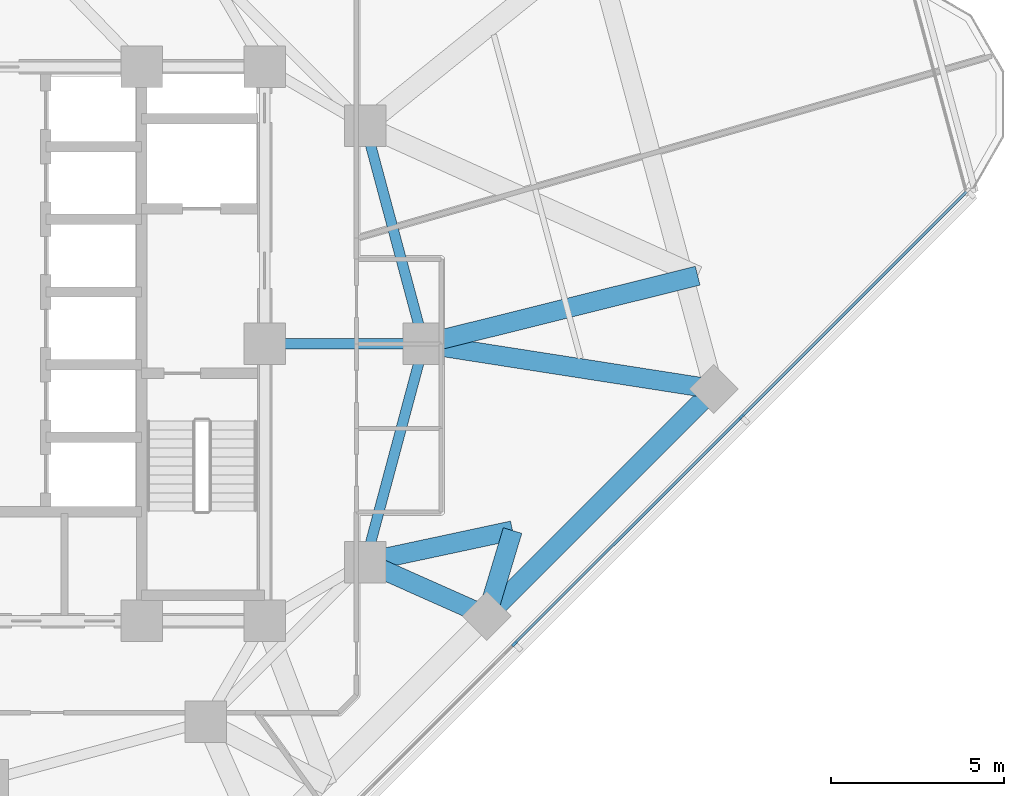
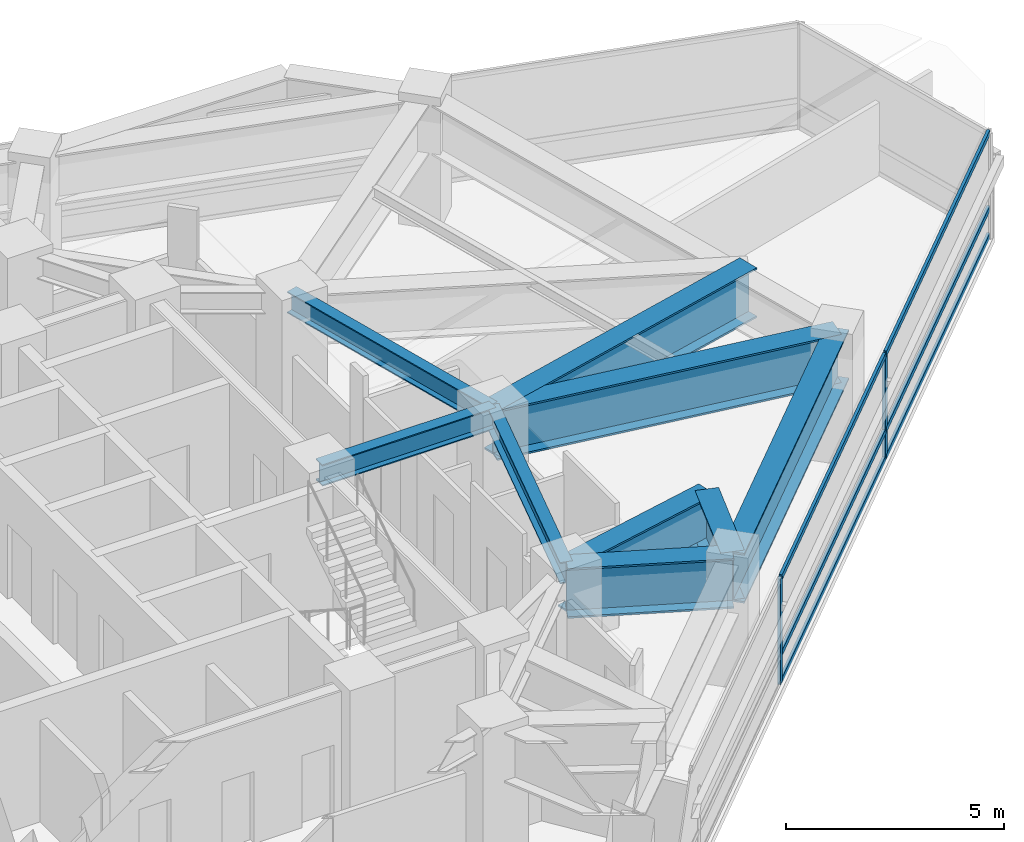
# One storey, part 4 of 15: 9 beams, 8 members, 1 element without a shape of its own.
"""IFC4 building model written with IfcOpenShell, lengths in metres."""

import ifcopenshell
import ifcopenshell.guid

model = None  # the IFC model being written
_history = None  # IfcOwnerHistory: only IFC2X3 demands one
_inside = {}  # id of a spatial element -> (the spatial element, [elements in it])
_under = {}  # id of a project, library or spatial element -> (it, [spatial elements below it])
_declared = {}  # id of a project -> (the project, [libraries it declares])
_typed = {}  # id of a type object -> (the type object, [elements of that type])
_made_of = {}  # id of a material, layer set ... -> (it, [elements and type objects made of it])


def new_model(schema):
    """Start an empty IFC model of exactly this schema.

    Asked for "IFC4X3", IfcOpenShell would pick the latest addendum, in which some entities
    have other attributes; the version numbers below select the first issue.
    IFC2X3 requires an IfcOwnerHistory on every rooted entity: one is made here for all.
    """
    global model, _history
    if schema == "IFC4X3":
        model = ifcopenshell.file(schema_version=(4, 3, 0, 0))
    else:
        model = ifcopenshell.file(schema=schema)
    _inside.clear()
    _under.clear()
    _declared.clear()
    _typed.clear()
    _made_of.clear()
    _history = None
    if model.schema == "IFC2X3":
        org = make("IfcOrganization", Name="unknown")
        user = make(
            "IfcPersonAndOrganization",
            ThePerson=make("IfcPerson", FamilyName="unknown"),
            TheOrganization=org,
        )
        app = make(
            "IfcApplication",
            ApplicationDeveloper=org,
            Version="unknown",
            ApplicationFullName="unknown",
            ApplicationIdentifier="unknown",
        )
        _history = make(
            "IfcOwnerHistory",
            OwningUser=user,
            OwningApplication=app,
            ChangeAction="ADDED",
            CreationDate=0,
        )
    return model


def make(cls, **values):
    """One entity of the class cls with the attributes given. An attribute that is None is left unset."""
    return model.create_entity(
        cls, **{name: value for name, value in values.items() if value is not None}
    )


def rooted(cls, **values):
    """An entity with a GlobalId (a new one), such as an element, a storey or a relation."""
    return make(cls, GlobalId=ifcopenshell.guid.new(), OwnerHistory=_history, **values)


def si_unit(unit_type, name, prefix=None):
    """IfcSIUnit, for example si_unit("LENGTHUNIT", "METRE", prefix="MILLI")."""
    return make("IfcSIUnit", UnitType=unit_type, Prefix=prefix, Name=name)


def assignment(units):
    """IfcUnitAssignment: the units of a project."""
    return None if units is None else make("IfcUnitAssignment", Units=units)


def point(xyz):
    """IfcCartesianPoint."""
    return None if xyz is None else make("IfcCartesianPoint", Coordinates=xyz)


def direction(xyz):
    """IfcDirection."""
    return None if xyz is None else make("IfcDirection", DirectionRatios=xyz)


def frame(location, z_axis=None, x_axis=None):
    """IfcAxis2Placement3D, a coordinate frame: its origin and axes. An axis left out is left unset."""
    return make(
        "IfcAxis2Placement3D",
        Location=point(location),
        Axis=direction(z_axis),
        RefDirection=direction(x_axis),
    )


def frame_2d(location, x_axis=None):
    """IfcAxis2Placement2D, a coordinate frame in the plane: its origin and x axis."""
    return make(
        "IfcAxis2Placement2D", Location=point(location), RefDirection=direction(x_axis)
    )


def origin():
    """The frame at (0, 0, 0) with its axes left unset."""
    return frame((0.0, 0.0, 0.0))


def origin_2d():
    """The frame at (0, 0) in the plane with its x axis left unset."""
    return frame_2d((0.0, 0.0))


def place(relative_to, where):
    """IfcLocalPlacement: puts the frame where relative to a parent placement (None: the world)."""
    return make(
        "IfcLocalPlacement", PlacementRelTo=relative_to, RelativePlacement=where
    )


def context(
    kind, dimensions, precision=None, world=None, true_north=None, identifier=None
):
    """IfcGeometricRepresentationContext, for example the 3D "Model" context."""
    return make(
        "IfcGeometricRepresentationContext",
        ContextIdentifier=identifier,
        ContextType=kind,
        CoordinateSpaceDimension=dimensions,
        Precision=precision,
        WorldCoordinateSystem=world,
        TrueNorth=true_north,
    )


def subcontext(parent, identifier, kind, view, scale=None):
    """IfcGeometricRepresentationSubContext, for example "Body" below "Model"."""
    return make(
        "IfcGeometricRepresentationSubContext",
        ContextIdentifier=identifier,
        ContextType=kind,
        ParentContext=parent,
        TargetScale=scale,
        TargetView=view,
    )


def project(units=None, contexts=None):
    """IfcProject with its units and contexts."""
    return rooted(
        "IfcProject",
        Name="project",
        RepresentationContexts=contexts,
        UnitsInContext=assignment(units),
    )


def spatial(cls, under=None, at=None, **own):
    """A site, building, storey or space (cls), placed at a placement, below another one or the project."""
    s = rooted(cls, ObjectPlacement=at, **own)
    if under is not None:
        _under.setdefault(under.id(), (under, []))[1].append(s)
    return s


def profile(cls, at=None, kind="AREA", **sizes):
    """A parametric profile (cls). Its sizes go by their IFC names, for example OverallWidth=200.0."""
    return make(cls, ProfileType=kind, Position=at, **sizes)


def rectangle(**sizes):
    """IfcRectangleProfileDef."""
    return profile("IfcRectangleProfileDef", **sizes)


def i_section(**sizes):
    """IfcIShapeProfileDef."""
    return profile("IfcIShapeProfileDef", **sizes)


def extrude(swept, where, along, depth):
    """IfcExtrudedAreaSolid: the profile swept, set in the frame where, extruded along a direction by depth."""
    return make(
        "IfcExtrudedAreaSolid",
        SweptArea=swept,
        Position=where,
        ExtrudedDirection=direction(along),
        Depth=depth,
    )


def shape(context_of_items, identifier, shape_type, items):
    """IfcShapeRepresentation: the items that make up one representation, for example the "Body"."""
    return make(
        "IfcShapeRepresentation",
        ContextOfItems=context_of_items,
        RepresentationIdentifier=identifier,
        RepresentationType=shape_type,
        Items=items,
    )


def material(Name=None, Category=None):
    """IfcMaterial."""
    return make("IfcMaterial", Name=Name, Category=Category)


def layer(
    of_material, thickness, ventilated=None, Name=None, Category=None, Priority=None
):
    """IfcMaterialLayer: one layer of a wall or slab, of a material (None: an air gap)."""
    return make(
        "IfcMaterialLayer",
        Material=of_material,
        LayerThickness=thickness,
        IsVentilated=ventilated,
        Name=Name,
        Category=Category,
        Priority=Priority,
    )


def layer_set(layers, Name=None):
    """IfcMaterialLayerSet."""
    return make("IfcMaterialLayerSet", MaterialLayers=layers, LayerSetName=Name)


def material_profile(
    of_material, cross_section, Name=None, Category=None, Priority=None
):
    """IfcMaterialProfile: a cross section and its material."""
    return make(
        "IfcMaterialProfile",
        Name=Name,
        Material=of_material,
        Profile=cross_section,
        Priority=Priority,
        Category=Category,
    )


def profile_set(profiles, Name=None, composite=None):
    """IfcMaterialProfileSet."""
    return make(
        "IfcMaterialProfileSet",
        Name=Name,
        MaterialProfiles=profiles,
        CompositeProfile=composite,
    )


def made_of(thing, what):
    """Note that an element or type object is made of a material, layer set ...; save() writes the relation."""
    if what is not None:
        _made_of.setdefault(what.id(), (what, []))[1].append(thing)
    return thing


def type_object(cls, material=None, **own):
    """A type object (cls), such as IfcWallType, which elements share."""
    return made_of(rooted(cls, **own), material)


def element(
    cls,
    number,
    at=None,
    inside=None,
    cuts=None,
    type_object=None,
    material=None,
    context=None,
    identifier="Body",
    shape_type=None,
    held_by="IfcProductDefinitionShape",
    body=None,
    shapes=None,
    **own,
):
    """One element of the class cls, such as IfcWall. Its Tag is "e" and its number.

    at: its placement. inside: the storey or other place that contains it. cuts: it is an
    opening in that element (IfcRelVoidsElement). A single representation is given by context,
    identifier, shape_type and body (its items); several are given by shapes. held_by: the class
    of the entity that holds the representations. save() writes the other relations.
    """
    e = rooted(cls, Tag="e%d" % number, ObjectPlacement=at, **own)
    if body is not None:
        shapes = [shape(context, identifier, shape_type, body)]
    if shapes is not None:
        e.Representation = make(held_by, Representations=shapes)
    if inside is not None:
        _inside.setdefault(inside.id(), (inside, []))[1].append(e)
    if cuts is not None:
        rooted(
            "IfcRelVoidsElement", RelatingBuildingElement=cuts, RelatedOpeningElement=e
        )
    if type_object is not None:
        _typed.setdefault(type_object.id(), (type_object, []))[1].append(e)
    return made_of(e, material)


def aggregate(whole, parts):
    """IfcRelAggregates: a whole, such as a stair, and the parts it consists of."""
    return rooted("IfcRelAggregates", RelatingObject=whole, RelatedObjects=parts)


def save(model, path):
    """Write the relations noted so far, then the file.

    IfcRelAggregates (storeys below a building ...), IfcRelContainedInSpatialStructure (elements
    in a storey), IfcRelDefinesByType, IfcRelAssociatesMaterial and IfcRelDeclares: one each for
    every whole, place, type object, material and project.
    """
    for whole, parts in _under.values():
        aggregate(whole, parts)
    for where, things in _inside.values():
        rooted(
            "IfcRelContainedInSpatialStructure",
            RelatedElements=things,
            RelatingStructure=where,
        )
    for kind, things in _typed.values():
        rooted("IfcRelDefinesByType", RelatedObjects=things, RelatingType=kind)
    for what, things in _made_of.values():
        rooted("IfcRelAssociatesMaterial", RelatedObjects=things, RelatingMaterial=what)
    for by, libraries in _declared.values():
        rooted("IfcRelDeclares", RelatingContext=by, RelatedDefinitions=libraries)
    model.write(path)


model = new_model("IFC4")

# Units and contexts
model_context = context("Model", 3, precision=1e-05, world=origin(), true_north=direction((0.0, 1.0)))
body_context = subcontext(model_context, "Body", "Model", "MODEL_VIEW")
ifc_project = project(units=[si_unit("LENGTHUNIT", "METRE"), si_unit("AREAUNIT", "SQUARE_METRE"), si_unit("VOLUMEUNIT", "CUBIC_METRE"), si_unit("PLANEANGLEUNIT", "RADIAN"), si_unit("MASSUNIT", "GRAM", prefix="KILO")], contexts=[model_context])

# Site, building, storey
site_placement = place(None, origin())
site = spatial("IfcSite", under=ifc_project, at=site_placement, CompositionType="ELEMENT")
building_placement = place(site_placement, origin())
building = spatial("IfcBuilding", under=site, at=building_placement, Name="Terralouvre Media Tower", CompositionType="ELEMENT")
storey_placement = place(building_placement, frame((0.0, 0.0, 210.10009765625)))
storey = spatial("IfcBuildingStorey", under=building, at=storey_placement, Name="L54", CompositionType="ELEMENT", Elevation=210.10009765625)

# Curtain wall, members
ifc_material_1 = material(Name="Low-iron laminated double glazing with solar-control coating", Category="glass")
ifc_layer = layer(ifc_material_1, 0.1650390625, Name="Production Studio Tower Curtain Wall CW-03")
ifc_layer_set = layer_set([ifc_layer], Name="Low-iron laminated double glazing with solar-control coating")
curtain_wall_type = type_object("IfcCurtainWallType", Name="Production Studio Tower Curtain Wall CW-03", PredefinedType="NOTDEFINED", material=ifc_layer_set)
curtain_wall_placement = place(storey_placement, origin())
curtain_wall = element("IfcCurtainWall", 1, at=curtain_wall_placement, inside=storey, type_object=curtain_wall_type, Name="L54 Facade Curtain Wall F0", PredefinedType="NOTDEFINED")
ifc_material_2 = material(Name="Anodised extruded aluminium 6063-T6", Category="aluminium")
ifc_material_profile_1 = material_profile(ifc_material_2, rectangle(XDim=0.074951171875, YDim=0.14990234375, at=origin_2d()), Name="ALU 75x150")
ifc_profile_set_1 = profile_set([ifc_material_profile_1], Name="Anodised extruded aluminium 6063-T6")
member_type_1 = type_object("IfcMemberType", Name="Curtain-Wall Horizontal Transom TR-150", PredefinedType="USERDEFINED", material=ifc_profile_set_1)
member_1_placement = place(storey_placement, frame((15.24267578125, -8.63330078125, 0.037353515625), z_axis=(0.707120053831, 0.707093508293, 0.0), x_axis=(-0.707093508293, 0.707120053831, 0.0)))
member_1 = element("IfcMember", 2, at=member_1_placement, type_object=member_type_1, Name="CW-03 transom 4.1", ObjectType="TRANSOM", PredefinedType="USERDEFINED", context=body_context, shape_type="SweptSolid", body=[
    extrude(rectangle(XDim=0.074951171875, YDim=0.14990234375, at=origin_2d()), origin(), (0.0, 0.0, 1.0), 9.197021484375),
])
member_2_placement = place(storey_placement, frame((15.24267578125, -8.63330078125, 0.7998046875), z_axis=(0.707120053831, 0.707093508293, 0.0), x_axis=(-0.707093508293, 0.707120053831, 0.0)))
member_2 = element("IfcMember", 3, at=member_2_placement, type_object=member_type_1, Name="CW-03 transom 4.2", ObjectType="TRANSOM", PredefinedType="USERDEFINED", context=body_context, shape_type="SweptSolid", body=[
    extrude(rectangle(XDim=0.074951171875, YDim=0.14990234375, at=origin_2d()), origin(), (0.0, 0.0, 1.0), 9.197021484375),
])
member_3_placement = place(storey_placement, frame((15.24267578125, -8.63330078125, 2.92236328125), z_axis=(0.707120053831, 0.707093508293, 0.0), x_axis=(-0.707093508293, 0.707120053831, 0.0)))
member_3 = element("IfcMember", 4, at=member_3_placement, type_object=member_type_1, Name="CW-03 transom 4.3", ObjectType="TRANSOM", PredefinedType="USERDEFINED", context=body_context, shape_type="SweptSolid", body=[
    extrude(rectangle(XDim=0.074951171875, YDim=0.14990234375, at=origin_2d()), origin(), (0.0, 0.0, 1.0), 9.197021484375),
])
member_4_placement = place(storey_placement, frame((21.799072265625, -2.0771484375, 0.037353515625), z_axis=(0.707106781187, 0.707106781187, 0.0), x_axis=(-0.707106781187, 0.707106781187, 0.0)))
member_4 = element("IfcMember", 5, at=member_4_placement, type_object=member_type_1, Name="CW-03 transom 5.1", ObjectType="TRANSOM", PredefinedType="USERDEFINED", context=body_context, shape_type="SweptSolid", body=[
    extrude(rectangle(XDim=0.074951171875, YDim=0.14990234375, at=origin_2d()), origin(), (0.0, 0.0, 1.0), 9.15966796875),
])
member_5_placement = place(storey_placement, frame((21.799072265625, -2.0771484375, 0.7998046875), z_axis=(0.707106781187, 0.707106781187, 0.0), x_axis=(-0.707106781187, 0.707106781187, 0.0)))
member_5 = element("IfcMember", 6, at=member_5_placement, type_object=member_type_1, Name="CW-03 transom 5.2", ObjectType="TRANSOM", PredefinedType="USERDEFINED", context=body_context, shape_type="SweptSolid", body=[
    extrude(rectangle(XDim=0.074951171875, YDim=0.14990234375, at=origin_2d()), origin(), (0.0, 0.0, 1.0), 9.15966796875),
])
member_6_placement = place(storey_placement, frame((21.799072265625, -2.0771484375, 2.92236328125), z_axis=(0.707106781187, 0.707106781187, 0.0), x_axis=(-0.707106781187, 0.707106781187, 0.0)))
member_6 = element("IfcMember", 7, at=member_6_placement, type_object=member_type_1, Name="CW-03 transom 5.3", ObjectType="TRANSOM", PredefinedType="USERDEFINED", context=body_context, shape_type="SweptSolid", body=[
    extrude(rectangle(XDim=0.074951171875, YDim=0.14990234375, at=origin_2d()), origin(), (0.0, 0.0, 1.0), 9.15966796875),
])
ifc_material_3 = material(Name="Anodised extruded aluminium 6063-T6", Category="aluminium")
ifc_material_profile_2 = material_profile(ifc_material_3, rectangle(XDim=0.074951171875, YDim=0.179931640625, at=origin_2d()), Name="ALU 75x180")
ifc_profile_set_2 = profile_set([ifc_material_profile_2], Name="Anodised extruded aluminium 6063-T6")
member_type_2 = type_object("IfcMemberType", Name="Curtain-Wall Vertical Mullion ML-180", PredefinedType="MULLION", material=ifc_profile_set_2)
member_7_placement = place(storey_placement, frame((15.21630859375, -8.659912109375, 0.0), z_axis=(0.0, 0.0, 1.0), x_axis=(-0.707106781187, 0.707106781187, 0.0)))
member_7 = element("IfcMember", 8, at=member_7_placement, type_object=member_type_2, Name="CW-03 mullion 4", PredefinedType="MULLION", context=body_context, shape_type="SweptSolid", body=[
    extrude(rectangle(XDim=0.074951171875, YDim=0.179931640625, at=origin_2d()), origin(), (0.0, 0.0, 1.0), 2.9599609375),
])
member_8_placement = place(storey_placement, frame((21.7724609375, -2.103515625, 0.0), z_axis=(0.0, 0.0, 1.0), x_axis=(-0.707106781187, 0.707106781187, 0.0)))
member_8 = element("IfcMember", 9, at=member_8_placement, type_object=member_type_2, Name="CW-03 mullion 5", PredefinedType="MULLION", context=body_context, shape_type="SweptSolid", body=[
    extrude(rectangle(XDim=0.074951171875, YDim=0.179931640625, at=origin_2d()), origin(), (0.0, 0.0, 1.0), 2.9599609375),
])
aggregate(curtain_wall, [member_7, member_8, member_1, member_2, member_3, member_4, member_5, member_6])

# Beams
ifc_material_4 = material(Name="Structural steel S460M", Category="steel")
ifc_material_profile_3 = material_profile(ifc_material_4, i_section(OverallWidth=0.300048828125, OverallDepth=0.60009765625, WebThickness=0.015380859375, FlangeThickness=0.030029296875, at=origin_2d()), Name="HEB 600")
ifc_profile_set_3 = profile_set([ifc_material_profile_3], Name="Structural steel S460M")
beam_type_1 = type_object("IfcBeamType", Name="Primary Floor Girder B-HEB600 (HEB 600)", PredefinedType="BEAM", material=ifc_profile_set_3)
for number, where, z_axis, x_axis, name in (
    (10, (10.911865234375, -6.300048828125, 3.159912109375), (0.258838989821, 0.965920481897, 0.0), (-0.965920481897, 0.258838989821, 0.0), "L54 Framing Beam BM-L54-MR05"),
    (11, (12.60009765625, 0.0, 3.159912109375), (-0.258838989821, 0.965920481897, 0.0), (-0.965920481897, -0.258838989821, 0.0), "L54 Framing Beam BM-L54-MR06"),
):
    element("IfcBeam", number, at=place(storey_placement, frame(where, z_axis=z_axis, x_axis=x_axis)), inside=storey, type_object=beam_type_1, Name=name, PredefinedType="BEAM", context=body_context, shape_type="SweptSolid", body=[
        extrude(i_section(OverallWidth=0.300048828125, OverallDepth=0.60009765625, WebThickness=0.015380859375, FlangeThickness=0.030029296875, at=origin_2d()), origin(), (0.0, 0.0, 1.0), 6.522216796875),
    ])
beam_1_placement = place(storey_placement, frame((8.0, 0.0, 3.159912109375), z_axis=(1.0, 0.0, 0.0), x_axis=(0.0, 1.0, 0.0)))
element("IfcBeam", 12, at=beam_1_placement, inside=storey, type_object=beam_type_1, Name="L54 Framing Beam BM-L54-CM06", PredefinedType="BEAM", context=body_context, shape_type="SweptSolid", body=[
    extrude(i_section(OverallWidth=0.300048828125, OverallDepth=0.60009765625, WebThickness=0.015380859375, FlangeThickness=0.030029296875, at=origin_2d()), origin(), (0.0, 0.0, 1.0), 4.60009765625),
])
ifc_material_5 = material(Name="Structural steel S460M", Category="steel")
ifc_material_profile_4 = material_profile(ifc_material_5, i_section(OverallWidth=0.56005859375, OverallDepth=1.39990234375, WebThickness=0.031982421875, FlangeThickness=0.050048828125, at=origin_2d()), Name="TG 1400x560")
ifc_profile_set_4 = profile_set([ifc_material_profile_4], Name="Structural steel S460M")
beam_type_2 = type_object("IfcBeamType", Name="Welded Transfer Girder TG-1400 (TG 1400x560)", PredefinedType="USERDEFINED", material=ifc_profile_set_4)
beam_2_placement = place(storey_placement, frame((14.417236328125, -7.86083984375, 2.760009765625), z_axis=(0.707106781187, 0.707106781187, 0.0), x_axis=(-0.707106781187, 0.707106781187, 0.0)))
element("IfcBeam", 13, at=beam_2_placement, inside=storey, type_object=beam_type_2, Name="L54 Framing Beam BM-L54-PR05", ObjectType="TRANSFER GIRDER", PredefinedType="USERDEFINED", context=body_context, shape_type="SweptSolid", body=[
    extrude(i_section(OverallWidth=0.56005859375, OverallDepth=1.39990234375, WebThickness=0.031982421875, FlangeThickness=0.050048828125, at=origin_2d()), origin(), (0.0, 0.0, 1.0), 9.271728515625),
])
beam_3_placement = place(storey_placement, frame((10.911865234375, -6.300048828125, 2.760009765625), z_axis=(0.913535846257, -0.406758229915, 0.0), x_axis=(0.406758229915, 0.913535846257, 0.0)))
element("IfcBeam", 14, at=beam_3_placement, inside=storey, type_object=beam_type_2, Name="L54 Framing Beam BM-L54-RD05", ObjectType="TRANSFER GIRDER", PredefinedType="USERDEFINED", context=body_context, shape_type="SweptSolid", body=[
    extrude(i_section(OverallWidth=0.56005859375, OverallDepth=1.39990234375, WebThickness=0.031982421875, FlangeThickness=0.050048828125, at=origin_2d()), origin(), (0.0, 0.0, 1.0), 3.837158203125),
])
beam_4_placement = place(storey_placement, frame((12.60009765625, 0.0, 2.760009765625), z_axis=(0.988077445791, -0.153957660154, 0.0), x_axis=(0.153957660154, 0.988077445791, 0.0)))
element("IfcBeam", 15, at=beam_4_placement, inside=storey, type_object=beam_type_2, Name="L54 Framing Beam BM-L54-RD06", ObjectType="TRANSFER GIRDER", PredefinedType="USERDEFINED", context=body_context, shape_type="SweptSolid", body=[
    extrude(i_section(OverallWidth=0.56005859375, OverallDepth=1.39990234375, WebThickness=0.031982421875, FlangeThickness=0.050048828125, at=origin_2d()), origin(), (0.0, 0.0, 1.0), 8.474365234375),
])
beam_5_placement = place(storey_placement, frame((15.161376953125, -5.391357421875, 2.760009765625), z_axis=(-0.288520050063, -0.957473853801, 0.0), x_axis=(0.957473853801, -0.288520050063, 0.0)))
element("IfcBeam", 16, at=beam_5_placement, inside=storey, type_object=beam_type_2, Name="L54 Framing Beam BM-L54-TR03S1", ObjectType="TRANSFER GIRDER", PredefinedType="USERDEFINED", context=body_context, shape_type="SweptSolid", body=[
    extrude(i_section(OverallWidth=0.56005859375, OverallDepth=1.39990234375, WebThickness=0.031982421875, FlangeThickness=0.050048828125, at=origin_2d()), origin(), (0.0, 0.0, 1.0), 2.5791015625),
])
beam_6_placement = place(storey_placement, frame((15.161376953125, -5.391357421875, 2.760009765625), z_axis=(-0.977892761282, -0.209107023871, 0.0), x_axis=(0.209107023871, -0.977892761282, 0.0)))
element("IfcBeam", 17, at=beam_6_placement, inside=storey, type_object=beam_type_2, Name="L54 Framing Beam BM-L54-TR03S2", ObjectType="TRANSFER GIRDER", PredefinedType="USERDEFINED", context=body_context, shape_type="SweptSolid", body=[
    extrude(i_section(OverallWidth=0.56005859375, OverallDepth=1.39990234375, WebThickness=0.031982421875, FlangeThickness=0.050048828125, at=origin_2d()), origin(), (0.0, 0.0, 1.0), 4.345458984375),
])
beam_7_placement = place(storey_placement, frame((20.51025390625, 1.970703125, 2.760009765625), z_axis=(-0.970339488521, -0.24174630714, 0.0), x_axis=(0.24174630714, -0.970339488521, 0.0)))
element("IfcBeam", 18, at=beam_7_placement, inside=storey, type_object=beam_type_2, Name="L54 Framing Beam BM-L54-TR04S1", ObjectType="TRANSFER GIRDER", PredefinedType="USERDEFINED", context=body_context, shape_type="SweptSolid", body=[
    extrude(i_section(OverallWidth=0.56005859375, OverallDepth=1.39990234375, WebThickness=0.031982421875, FlangeThickness=0.050048828125, at=origin_2d()), origin(), (0.0, 0.0, 1.0), 8.15185546875),
])

save(model, "model.ifc")
